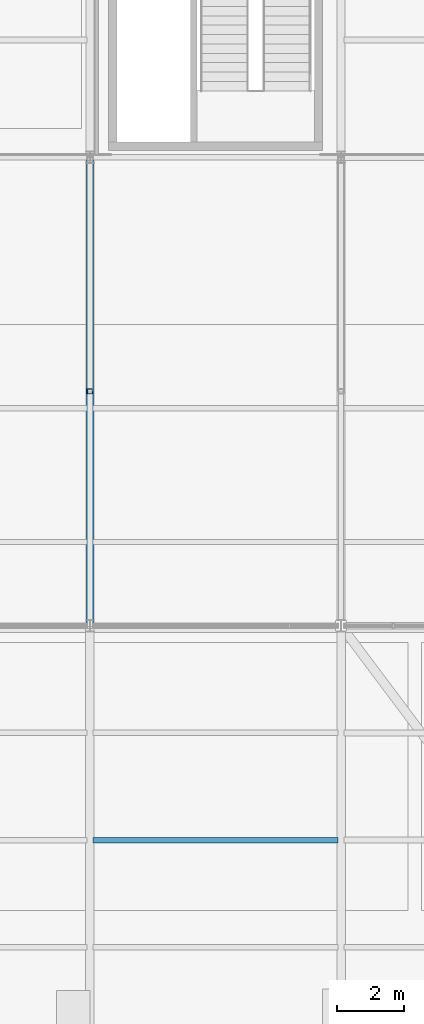
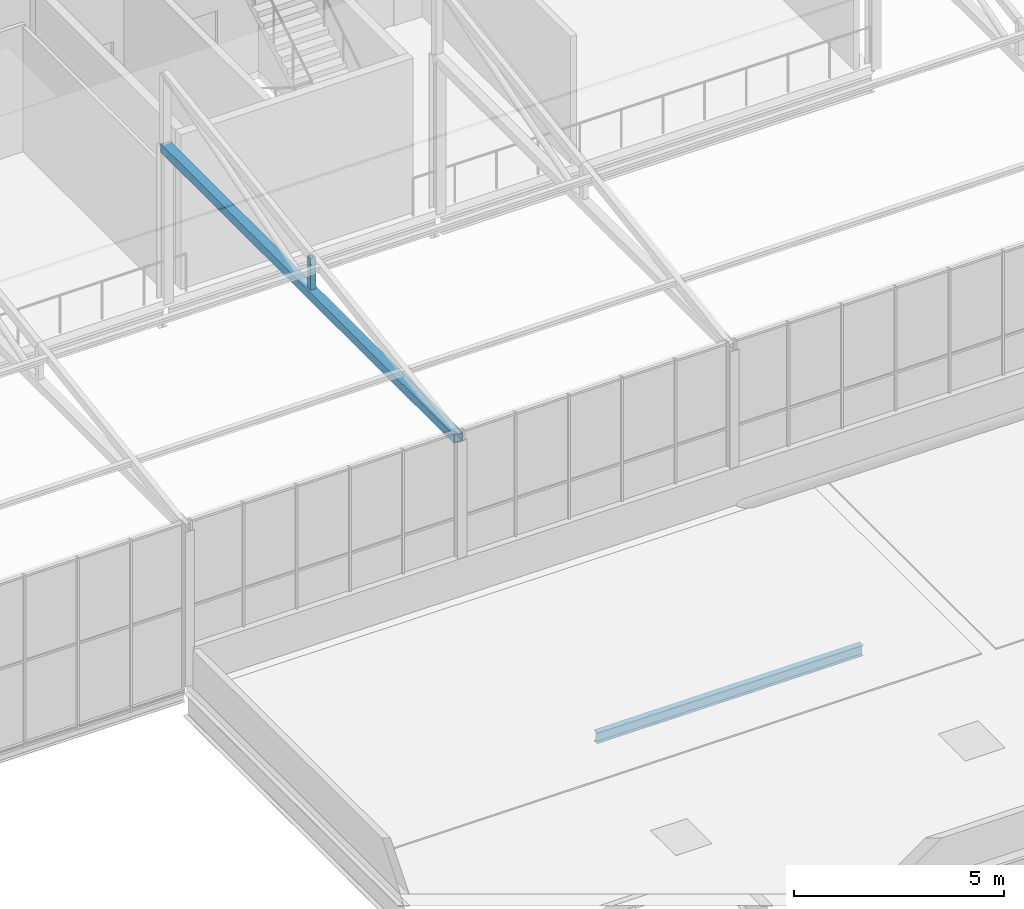
# One storey, part 48 of 104: 2 members, 1 beam.
"""IFC4 building model written with IfcOpenShell, lengths in metres."""

import ifcopenshell
import ifcopenshell.guid

model = None  # the IFC model being written
_history = None  # IfcOwnerHistory: only IFC2X3 demands one
_inside = {}  # id of a spatial element -> (the spatial element, [elements in it])
_under = {}  # id of a project, library or spatial element -> (it, [spatial elements below it])
_declared = {}  # id of a project -> (the project, [libraries it declares])
_typed = {}  # id of a type object -> (the type object, [elements of that type])
_made_of = {}  # id of a material, layer set ... -> (it, [elements and type objects made of it])


def new_model(schema):
    """Start an empty IFC model of exactly this schema.

    Asked for "IFC4X3", IfcOpenShell would pick the latest addendum, in which some entities
    have other attributes; the version numbers below select the first issue.
    IFC2X3 requires an IfcOwnerHistory on every rooted entity: one is made here for all.
    """
    global model, _history
    if schema == "IFC4X3":
        model = ifcopenshell.file(schema_version=(4, 3, 0, 0))
    else:
        model = ifcopenshell.file(schema=schema)
    _inside.clear()
    _under.clear()
    _declared.clear()
    _typed.clear()
    _made_of.clear()
    _history = None
    if model.schema == "IFC2X3":
        org = make("IfcOrganization", Name="unknown")
        user = make(
            "IfcPersonAndOrganization",
            ThePerson=make("IfcPerson", FamilyName="unknown"),
            TheOrganization=org,
        )
        app = make(
            "IfcApplication",
            ApplicationDeveloper=org,
            Version="unknown",
            ApplicationFullName="unknown",
            ApplicationIdentifier="unknown",
        )
        _history = make(
            "IfcOwnerHistory",
            OwningUser=user,
            OwningApplication=app,
            ChangeAction="ADDED",
            CreationDate=0,
        )
    return model


def make(cls, **values):
    """One entity of the class cls with the attributes given. An attribute that is None is left unset."""
    return model.create_entity(
        cls, **{name: value for name, value in values.items() if value is not None}
    )


def rooted(cls, **values):
    """An entity with a GlobalId (a new one), such as an element, a storey or a relation."""
    return make(cls, GlobalId=ifcopenshell.guid.new(), OwnerHistory=_history, **values)


def si_unit(unit_type, name, prefix=None):
    """IfcSIUnit, for example si_unit("LENGTHUNIT", "METRE", prefix="MILLI")."""
    return make("IfcSIUnit", UnitType=unit_type, Prefix=prefix, Name=name)


def assignment(units):
    """IfcUnitAssignment: the units of a project."""
    return None if units is None else make("IfcUnitAssignment", Units=units)


def point(xyz):
    """IfcCartesianPoint."""
    return None if xyz is None else make("IfcCartesianPoint", Coordinates=xyz)


def direction(xyz):
    """IfcDirection."""
    return None if xyz is None else make("IfcDirection", DirectionRatios=xyz)


def frame(location, z_axis=None, x_axis=None):
    """IfcAxis2Placement3D, a coordinate frame: its origin and axes. An axis left out is left unset."""
    return make(
        "IfcAxis2Placement3D",
        Location=point(location),
        Axis=direction(z_axis),
        RefDirection=direction(x_axis),
    )


def frame_2d(location, x_axis=None):
    """IfcAxis2Placement2D, a coordinate frame in the plane: its origin and x axis."""
    return make(
        "IfcAxis2Placement2D", Location=point(location), RefDirection=direction(x_axis)
    )


def origin():
    """The frame at (0, 0, 0) with its axes left unset."""
    return frame((0.0, 0.0, 0.0))


def origin_2d():
    """The frame at (0, 0) in the plane with its x axis left unset."""
    return frame_2d((0.0, 0.0))


def place(relative_to, where):
    """IfcLocalPlacement: puts the frame where relative to a parent placement (None: the world)."""
    return make(
        "IfcLocalPlacement", PlacementRelTo=relative_to, RelativePlacement=where
    )


def context(
    kind, dimensions, precision=None, world=None, true_north=None, identifier=None
):
    """IfcGeometricRepresentationContext, for example the 3D "Model" context."""
    return make(
        "IfcGeometricRepresentationContext",
        ContextIdentifier=identifier,
        ContextType=kind,
        CoordinateSpaceDimension=dimensions,
        Precision=precision,
        WorldCoordinateSystem=world,
        TrueNorth=true_north,
    )


def subcontext(parent, identifier, kind, view, scale=None):
    """IfcGeometricRepresentationSubContext, for example "Body" below "Model"."""
    return make(
        "IfcGeometricRepresentationSubContext",
        ContextIdentifier=identifier,
        ContextType=kind,
        ParentContext=parent,
        TargetScale=scale,
        TargetView=view,
    )


def project(units=None, contexts=None):
    """IfcProject with its units and contexts."""
    return rooted(
        "IfcProject",
        Name="project",
        RepresentationContexts=contexts,
        UnitsInContext=assignment(units),
    )


def spatial(cls, under=None, at=None, **own):
    """A site, building, storey or space (cls), placed at a placement, below another one or the project."""
    s = rooted(cls, ObjectPlacement=at, **own)
    if under is not None:
        _under.setdefault(under.id(), (under, []))[1].append(s)
    return s


def profile(cls, at=None, kind="AREA", **sizes):
    """A parametric profile (cls). Its sizes go by their IFC names, for example OverallWidth=200.0."""
    return make(cls, ProfileType=kind, Position=at, **sizes)


def hollow_rectangle(**sizes):
    """IfcRectangleHollowProfileDef."""
    return profile("IfcRectangleHollowProfileDef", **sizes)


def i_section(**sizes):
    """IfcIShapeProfileDef."""
    return profile("IfcIShapeProfileDef", **sizes)


def extrude(swept, where, along, depth):
    """IfcExtrudedAreaSolid: the profile swept, set in the frame where, extruded along a direction by depth."""
    return make(
        "IfcExtrudedAreaSolid",
        SweptArea=swept,
        Position=where,
        ExtrudedDirection=direction(along),
        Depth=depth,
    )


def shape(context_of_items, identifier, shape_type, items):
    """IfcShapeRepresentation: the items that make up one representation, for example the "Body"."""
    return make(
        "IfcShapeRepresentation",
        ContextOfItems=context_of_items,
        RepresentationIdentifier=identifier,
        RepresentationType=shape_type,
        Items=items,
    )


def material(Name=None, Category=None):
    """IfcMaterial."""
    return make("IfcMaterial", Name=Name, Category=Category)


def material_profile(
    of_material, cross_section, Name=None, Category=None, Priority=None
):
    """IfcMaterialProfile: a cross section and its material."""
    return make(
        "IfcMaterialProfile",
        Name=Name,
        Material=of_material,
        Profile=cross_section,
        Priority=Priority,
        Category=Category,
    )


def profile_set(profiles, Name=None, composite=None):
    """IfcMaterialProfileSet."""
    return make(
        "IfcMaterialProfileSet",
        Name=Name,
        MaterialProfiles=profiles,
        CompositeProfile=composite,
    )


def made_of(thing, what):
    """Note that an element or type object is made of a material, layer set ...; save() writes the relation."""
    if what is not None:
        _made_of.setdefault(what.id(), (what, []))[1].append(thing)
    return thing


def type_object(cls, material=None, **own):
    """A type object (cls), such as IfcWallType, which elements share."""
    return made_of(rooted(cls, **own), material)


def element(
    cls,
    number,
    at=None,
    inside=None,
    cuts=None,
    type_object=None,
    material=None,
    context=None,
    identifier="Body",
    shape_type=None,
    held_by="IfcProductDefinitionShape",
    body=None,
    shapes=None,
    **own,
):
    """One element of the class cls, such as IfcWall. Its Tag is "e" and its number.

    at: its placement. inside: the storey or other place that contains it. cuts: it is an
    opening in that element (IfcRelVoidsElement). A single representation is given by context,
    identifier, shape_type and body (its items); several are given by shapes. held_by: the class
    of the entity that holds the representations. save() writes the other relations.
    """
    e = rooted(cls, Tag="e%d" % number, ObjectPlacement=at, **own)
    if body is not None:
        shapes = [shape(context, identifier, shape_type, body)]
    if shapes is not None:
        e.Representation = make(held_by, Representations=shapes)
    if inside is not None:
        _inside.setdefault(inside.id(), (inside, []))[1].append(e)
    if cuts is not None:
        rooted(
            "IfcRelVoidsElement", RelatingBuildingElement=cuts, RelatedOpeningElement=e
        )
    if type_object is not None:
        _typed.setdefault(type_object.id(), (type_object, []))[1].append(e)
    return made_of(e, material)


def aggregate(whole, parts):
    """IfcRelAggregates: a whole, such as a stair, and the parts it consists of."""
    return rooted("IfcRelAggregates", RelatingObject=whole, RelatedObjects=parts)


def save(model, path):
    """Write the relations noted so far, then the file.

    IfcRelAggregates (storeys below a building ...), IfcRelContainedInSpatialStructure (elements
    in a storey), IfcRelDefinesByType, IfcRelAssociatesMaterial and IfcRelDeclares: one each for
    every whole, place, type object, material and project.
    """
    for whole, parts in _under.values():
        aggregate(whole, parts)
    for where, things in _inside.values():
        rooted(
            "IfcRelContainedInSpatialStructure",
            RelatedElements=things,
            RelatingStructure=where,
        )
    for kind, things in _typed.values():
        rooted("IfcRelDefinesByType", RelatedObjects=things, RelatingType=kind)
    for what, things in _made_of.values():
        rooted("IfcRelAssociatesMaterial", RelatedObjects=things, RelatingMaterial=what)
    for by, libraries in _declared.values():
        rooted("IfcRelDeclares", RelatingContext=by, RelatedDefinitions=libraries)
    model.write(path)


model = new_model("IFC4")

# Units and contexts
model_context = context("Model", 3, precision=1e-05, world=origin(), true_north=direction((0.0, 1.0)))
body_context = subcontext(model_context, "Body", "Model", "MODEL_VIEW")
ifc_project = project(units=[si_unit("LENGTHUNIT", "METRE"), si_unit("AREAUNIT", "SQUARE_METRE"), si_unit("VOLUMEUNIT", "CUBIC_METRE"), si_unit("PLANEANGLEUNIT", "RADIAN"), si_unit("MASSUNIT", "GRAM", prefix="KILO")], contexts=[model_context])

# Site, building, storey
site_placement = place(None, origin())
site = spatial("IfcSite", under=ifc_project, at=site_placement, CompositionType="ELEMENT")
building_placement = place(site_placement, origin())
building = spatial("IfcBuilding", under=site, at=building_placement, Name="Solvenia Promenade Tram Depot", CompositionType="ELEMENT")
storey_placement = place(building_placement, frame((0.0, 0.0, 9.0)))
storey = spatial("IfcBuildingStorey", under=building, at=storey_placement, Name="L02", CompositionType="ELEMENT", Elevation=9.0)

# Member
ifc_material_1 = material(Name="Structural steel ASTM A500 Gr. C", Category="steel")
ifc_material_profile_1 = material_profile(ifc_material_1, hollow_rectangle(XDim=0.25, YDim=0.25, WallThickness=0.010009765625, at=origin_2d()), Name="HSS250x250x10", Category="steel")
ifc_profile_set_1 = profile_set([ifc_material_profile_1], Name="Structural steel ASTM A500 Gr. C")
member_type_1 = type_object("IfcMemberType", Name="Chord-HSS250x250x10", PredefinedType="CHORD", material=ifc_profile_set_1)
member_1_placement = place(storey_placement, frame((142.5, 24.0, 4.47998046875), z_axis=(0.0, 1.0, 0.0), x_axis=(-1.0, 0.0, 0.0)))
element("IfcMember", 1, at=member_1_placement, inside=storey, type_object=member_type_1, Name="Crane Hall Truss Bottom Tie 06", PredefinedType="CHORD", context=body_context, shape_type="SweptSolid", body=[
    extrude(hollow_rectangle(XDim=0.25, YDim=0.25, WallThickness=0.010009765625, at=origin_2d()), origin(), (0.0, 0.0, 1.0), 14.0),
])

# Beam
ifc_material_2 = material(Name="Structural steel ASTM A992 Gr. 50", Category="steel")
ifc_material_profile_2 = material_profile(ifc_material_2, i_section(OverallWidth=0.166015625, OverallDepth=0.31298828125, WebThickness=0.006591796875, FlangeThickness=0.01123046875, FilletRadius=0.010009765625, at=origin_2d()), Name="W310x45", Category="steel")
ifc_profile_set_2 = profile_set([ifc_material_profile_2], Name="Structural steel ASTM A992 Gr. 50")
beam_type = type_object("IfcBeamType", Name="Joist-W310x45", PredefinedType="JOIST", material=ifc_profile_set_2)
beam_placement = place(storey_placement, frame((142.5849609375, 17.60009765625, -0.37646484375), z_axis=(1.0, 0.0, 0.0), x_axis=(0.0, 1.0, 0.0)))
element("IfcBeam", 2, at=beam_placement, inside=storey, type_object=beam_type, Name="Secondary Floor Joist BM-L02-0809", PredefinedType="JOIST", context=body_context, shape_type="SweptSolid", body=[
    extrude(i_section(OverallWidth=0.166015625, OverallDepth=0.31298828125, WebThickness=0.006591796875, FlangeThickness=0.01123046875, FilletRadius=0.010009765625, at=origin_2d()), origin(), (0.0, 0.0, 1.0), 7.330078125),
])

# Member
ifc_material_profile_3 = material_profile(ifc_material_1, hollow_rectangle(XDim=0.14990234375, YDim=0.14990234375, WallThickness=0.008056640625, at=origin_2d()), Name="HSS150x150x8", Category="steel")
ifc_profile_set_3 = profile_set([ifc_material_profile_3], Name="Structural steel ASTM A500 Gr. C")
member_type_2 = type_object("IfcMemberType", Name="Post-HSS150x150x8", PredefinedType="POST", material=ifc_profile_set_3)
member_2_placement = place(storey_placement, frame((142.5, 31.0, 4.47998046875), z_axis=(0.0, 0.0, 1.0), x_axis=(1.0, 0.0, 0.0)))
element("IfcMember", 3, at=member_2_placement, inside=storey, type_object=member_type_2, Name="Crane Hall Mid Web Post 06", PredefinedType="POST", context=body_context, shape_type="SweptSolid", body=[
    extrude(hollow_rectangle(XDim=0.14990234375, YDim=0.14990234375, WallThickness=0.008056640625, at=origin_2d()), origin(), (0.0, 0.0, 1.0), 1.050048828125),
])

save(model, "model.ifc")
